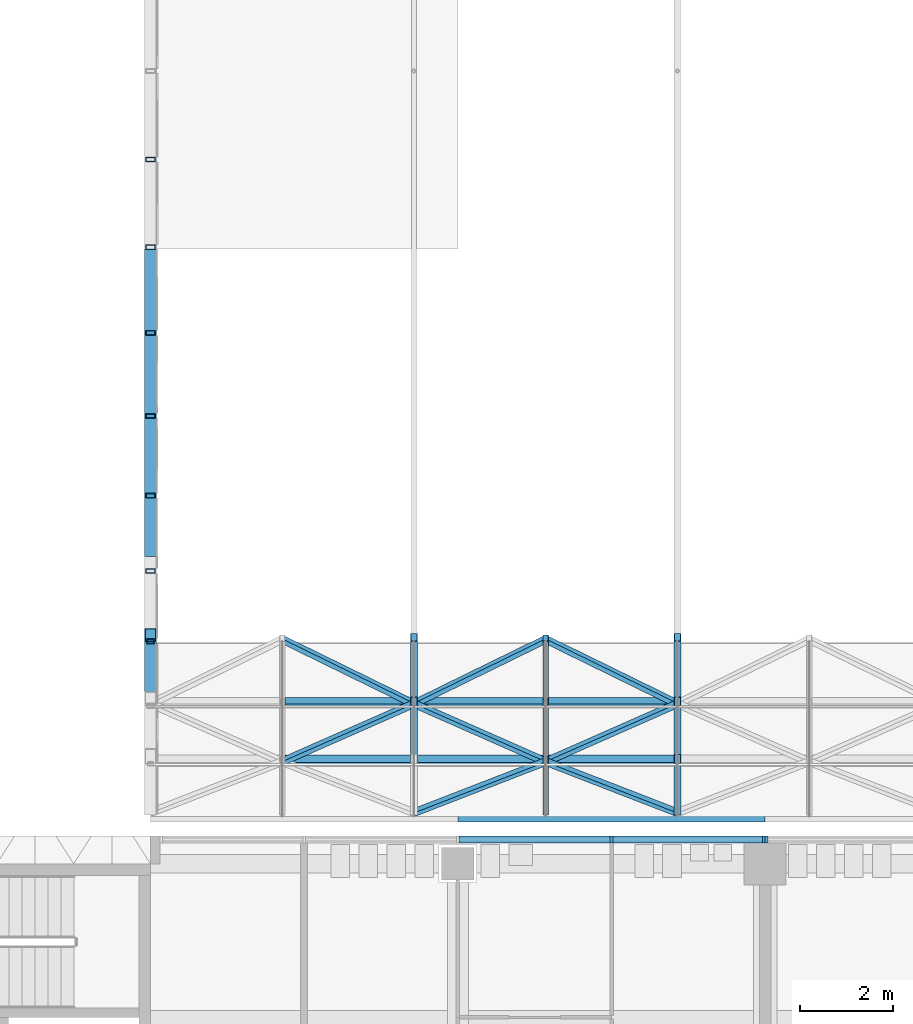
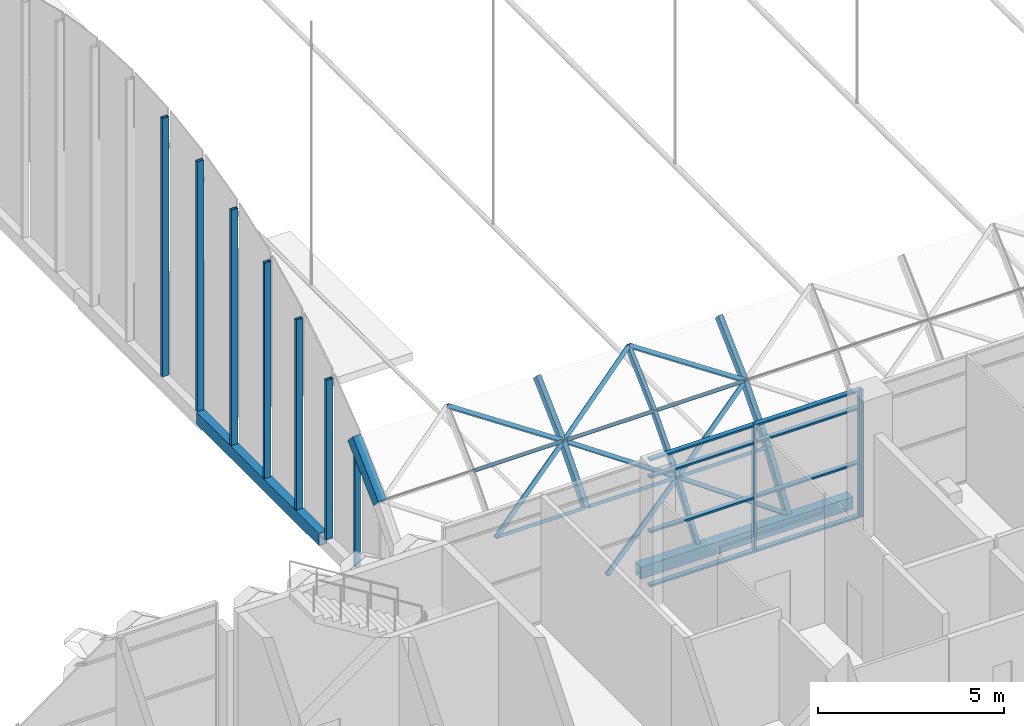
# One storey, part 15 of 109: 41 members, 2 beams, 2 elements without a shape of their own.
"""IFC4 building model written with IfcOpenShell, lengths in metres."""

from ifc_helpers import new_model, si_unit, direction, frame, origin, origin_2d, place, context, subcontext, project, spatial, rectangle, hollow_rectangle, extrude, material, material_profile, profile_set, type_object, element, aggregate, save


model = new_model("IFC4")

# Units and contexts
model_context = context("Model", 3, precision=1e-05, world=origin(), true_north=direction((0.0, 1.0)))
body_context = subcontext(model_context, "Body", "Model", "MODEL_VIEW")
ifc_project = project(units=[si_unit("LENGTHUNIT", "METRE"), si_unit("AREAUNIT", "SQUARE_METRE"), si_unit("VOLUMEUNIT", "CUBIC_METRE"), si_unit("PLANEANGLEUNIT", "RADIAN"), si_unit("MASSUNIT", "GRAM", prefix="KILO")], contexts=[model_context])

# Site, building, storey
site_placement = place(None, origin())
site = spatial("IfcSite", under=ifc_project, at=site_placement, CompositionType="ELEMENT")
building_placement = place(site_placement, origin())
building = spatial("IfcBuilding", under=site, at=building_placement, Name="Lantern Court Research Institute", CompositionType="ELEMENT")
storey_placement = place(building_placement, frame((0.0, 0.0, 14.39990234375)))
storey = spatial("IfcBuildingStorey", under=building, at=storey_placement, Name="L03", CompositionType="ELEMENT", Elevation=14.39990234375)

# Members
ifc_material_1 = material(Name="Structural steel S355", Category="steel")
ifc_material_profile_1 = material_profile(ifc_material_1, hollow_rectangle(XDim=0.25, YDim=0.39990234375, WallThickness=0.01611328125, at=origin_2d()), Name="Gable arch RHS 400 x 250 x 16")
ifc_profile_set_1 = profile_set([ifc_material_profile_1], Name="Structural steel S355")
member_type_1 = type_object("IfcMemberType", Name="Gable arch RHS 400 x 250 x 16", PredefinedType="RAFTER", material=ifc_profile_set_1)
member_1_placement = place(storey_placement, frame((39.60009765625, 26.63037109375, 3.24609375), z_axis=(0.0, 0.728151013069, 0.68541673613), x_axis=(-1.0, 0.0, 0.0)))
element("IfcMember", 1, at=member_1_placement, inside=storey, type_object=member_type_1, Name="Gable arch", PredefinedType="RAFTER", context=body_context, shape_type="SweptSolid", body=[
    extrude(hollow_rectangle(XDim=0.25, YDim=0.39990234375, WallThickness=0.01611328125, at=origin_2d()), origin(), (0.0, 0.0, 1.0), 1.90234375),
])
ifc_material_2 = material(Name="Structural steel S355", Category="steel")
ifc_material_profile_2 = material_profile(ifc_material_2, hollow_rectangle(XDim=0.159912109375, YDim=0.10009765625, WallThickness=0.00634765625, at=origin_2d()), Name="Gable post RHS 160 x 100 x 6.3")
ifc_profile_set_2 = profile_set([ifc_material_profile_2], Name="Structural steel S355")
member_type_2 = type_object("IfcMemberType", Name="Gable post RHS 160 x 100 x 6.3", PredefinedType="POST", material=ifc_profile_set_2)
member_2_placement = place(storey_placement, frame((39.60009765625, 27.87841796875, 0.400146484375), z_axis=(0.0, 0.0, 1.0), x_axis=(1.0, 0.0, 0.0)))
element("IfcMember", 2, at=member_2_placement, inside=storey, type_object=member_type_2, Name="Gable post", PredefinedType="POST", context=body_context, shape_type="SweptSolid", body=[
    extrude(hollow_rectangle(XDim=0.159912109375, YDim=0.10009765625, WallThickness=0.00634765625, at=origin_2d()), origin(), (0.0, 0.0, 1.0), 4.095458984375),
])
ifc_material_3 = material(Name="Structural steel S355", Category="steel")
ifc_material_profile_3 = material_profile(ifc_material_3, hollow_rectangle(XDim=0.199951171875, YDim=0.10009765625, WallThickness=0.008056640625, at=origin_2d()), Name="Gable post RHS 200 x 100 x 8")
ifc_profile_set_3 = profile_set([ifc_material_profile_3], Name="Structural steel S355")
member_type_3 = type_object("IfcMemberType", Name="Gable post RHS 200 x 100 x 8", PredefinedType="POST", material=ifc_profile_set_3)
member_3_placement = place(storey_placement, frame((39.60009765625, 29.3876953125, 0.400146484375), z_axis=(0.0, 0.0, 1.0), x_axis=(1.0, 0.0, 0.0)))
element("IfcMember", 3, at=member_3_placement, inside=storey, type_object=member_type_3, Name="Gable post", PredefinedType="POST", context=body_context, shape_type="SweptSolid", body=[
    extrude(hollow_rectangle(XDim=0.199951171875, YDim=0.10009765625, WallThickness=0.008056640625, at=origin_2d()), origin(), (0.0, 0.0, 1.0), 5.253662109375),
])
member_4_placement = place(storey_placement, frame((39.60009765625, 31.005859375, 0.400146484375), z_axis=(0.0, 0.0, 1.0), x_axis=(1.0, 0.0, 0.0)))
element("IfcMember", 4, at=member_4_placement, inside=storey, type_object=member_type_3, Name="Gable post", PredefinedType="POST", context=body_context, shape_type="SweptSolid", body=[
    extrude(hollow_rectangle(XDim=0.199951171875, YDim=0.10009765625, WallThickness=0.008056640625, at=origin_2d()), origin(), (0.0, 0.0, 1.0), 6.25439453125),
])
member_5_placement = place(storey_placement, frame((39.60009765625, 32.71630859375, 0.400146484375), z_axis=(0.0, 0.0, 1.0), x_axis=(1.0, 0.0, 0.0)))
element("IfcMember", 5, at=member_5_placement, inside=storey, type_object=member_type_3, Name="Gable post", PredefinedType="POST", context=body_context, shape_type="SweptSolid", body=[
    extrude(hollow_rectangle(XDim=0.199951171875, YDim=0.10009765625, WallThickness=0.008056640625, at=origin_2d()), origin(), (0.0, 0.0, 1.0), 7.08740234375),
])
member_6_placement = place(storey_placement, frame((39.60009765625, 34.501708984375, 0.400146484375), z_axis=(0.0, 0.0, 1.0), x_axis=(1.0, 0.0, 0.0)))
element("IfcMember", 6, at=member_6_placement, inside=storey, type_object=member_type_3, Name="Gable post", PredefinedType="POST", context=body_context, shape_type="SweptSolid", body=[
    extrude(hollow_rectangle(XDim=0.199951171875, YDim=0.10009765625, WallThickness=0.008056640625, at=origin_2d()), origin(), (0.0, 0.0, 1.0), 7.744140625),
])
member_7_placement = place(storey_placement, frame((39.60009765625, 36.34423828125, 0.400146484375), z_axis=(0.0, 0.0, 1.0), x_axis=(1.0, 0.0, 0.0)))
element("IfcMember", 7, at=member_7_placement, inside=storey, type_object=member_type_3, Name="Gable post", PredefinedType="POST", context=body_context, shape_type="SweptSolid", body=[
    extrude(hollow_rectangle(XDim=0.199951171875, YDim=0.10009765625, WallThickness=0.008056640625, at=origin_2d()), origin(), (0.0, 0.0, 1.0), 8.218017578125),
])
member_8_placement = place(storey_placement, frame((39.60009765625, 38.224853515625, 0.400146484375), z_axis=(0.0, 0.0, 1.0), x_axis=(1.0, 0.0, 0.0)))
element("IfcMember", 8, at=member_8_placement, inside=storey, type_object=member_type_3, Name="Gable post", PredefinedType="POST", context=body_context, shape_type="SweptSolid", body=[
    extrude(hollow_rectangle(XDim=0.199951171875, YDim=0.10009765625, WallThickness=0.008056640625, at=origin_2d()), origin(), (0.0, 0.0, 1.0), 8.504150390625),
])

# Beam
ifc_material_4 = material(Name="Structural steel S355", Category="steel")
ifc_material_profile_4 = material_profile(ifc_material_4, hollow_rectangle(XDim=0.25, YDim=0.39990234375, WallThickness=0.012451171875, at=origin_2d()), Name="Gable sill beam RHS 400 x 250 x 12.5")
ifc_profile_set_4 = profile_set([ifc_material_profile_4], Name="Structural steel S355")
beam_type_1 = type_object("IfcBeamType", Name="Gable sill beam RHS 400 x 250 x 12.5", PredefinedType="BEAM", material=ifc_profile_set_4)
beam_1_placement = place(storey_placement, frame((39.60009765625, 29.699951171875, 0.2001953125), z_axis=(0.0, 1.0, 0.0), x_axis=(-1.0, 0.0, 0.0)))
element("IfcBeam", 9, at=beam_1_placement, inside=storey, type_object=beam_type_1, Name="Sill beam W", PredefinedType="BEAM", context=body_context, shape_type="SweptSolid", body=[
    extrude(hollow_rectangle(XDim=0.25, YDim=0.39990234375, WallThickness=0.012451171875, at=origin_2d()), origin(), (0.0, 0.0, 1.0), 6.60009765625),
])

# Members
ifc_material_5 = material(Name="Structural steel S355", Category="steel")
ifc_material_profile_5 = material_profile(ifc_material_5, hollow_rectangle(XDim=0.1201171875, YDim=0.1201171875, WallThickness=0.008056640625, at=origin_2d()), Name="Gridshell haunch diagonal RHS 120 x 120 x 8")
ifc_profile_set_5 = profile_set([ifc_material_profile_5], Name="Structural steel S355")
member_type_4 = type_object("IfcMemberType", Name="Gridshell haunch diagonal RHS 120 x 120 x 8", PredefinedType="BRACE", material=ifc_profile_set_5)
for number, where, z_axis, x_axis, name in (
    (10, (42.428466796875, 25.29150390625, 1.91552734375), (0.829775196139, 0.365828733116, 0.421476525917), (-0.558097772678, 0.543914119911, 0.62664527948), "Gridshell diagonal"),
    (11, (45.257080078125, 26.534423828125, 3.347900390625), (-0.829761681147, 0.406358344452, 0.382581296451), (-0.558117866133, -0.60414109168, -0.568786417601), "Gridshell diagonal"),
    (12, (45.257080078125, 24.198974609375, 0.365478515625), (0.829757421007, 0.321633055217, 0.45613024464), (-0.558124199292, 0.478137532634, 0.678145912065), "Gridshell diagonal"),
    (13, (48.085693359375, 25.29150390625, 1.91552734375), (-0.829775196139, 0.365828733116, 0.421476525917), (-0.558097772678, -0.543914119911, -0.62664527948), "Gridshell diagonal"),
    (14, (45.257080078125, 26.534423828125, 3.347900390625), (0.829761681147, 0.406358344452, 0.382581296451), (-0.558117866133, 0.60414109168, 0.568786417601), "Gridshell diagonal"),
    (15, (50.914306640625, 24.198974609375, 0.365478515625), (-0.829757421007, 0.321633055217, 0.45613024464), (-0.558124199292, -0.478137532634, -0.678145912065), "Gridshell diagonal"),
    (16, (48.085693359375, 25.29150390625, 1.91552734375), (0.829775196139, 0.365828733116, 0.421476525917), (-0.558097772678, 0.543914119911, 0.62664527948), "Gridshell diagonal"),
    (17, (50.914306640625, 26.534423828125, 3.347900390625), (-0.829761681147, 0.406358344452, 0.382581296451), (-0.558117866133, -0.60414109168, -0.568786417601), "Gridshell diagonal"),
):
    element("IfcMember", number, at=place(storey_placement, frame(where, z_axis=z_axis, x_axis=x_axis)), inside=storey, type_object=member_type_4, Name=name, PredefinedType="BRACE", context=body_context, shape_type="SweptSolid", body=[
        extrude(hollow_rectangle(XDim=0.1201171875, YDim=0.1201171875, WallThickness=0.008056640625, at=origin_2d()), origin(), (0.0, 0.0, 1.0), 3.408935546875),
    ])
ifc_material_6 = material(Name="Structural steel S355", Category="steel")
ifc_material_profile_6 = material_profile(ifc_material_6, hollow_rectangle(XDim=0.10009765625, YDim=0.199951171875, WallThickness=0.008056640625, at=origin_2d()), Name="Gridshell purlin RHS 200 x 100 x 8")
ifc_profile_set_6 = profile_set([ifc_material_profile_6], Name="Structural steel S355")
member_type_5 = type_object("IfcMemberType", Name="Gridshell purlin RHS 200 x 100 x 8", PredefinedType="PURLIN", material=ifc_profile_set_6)
for number, where, z_axis, x_axis, name in (
    (18, (42.488525390625, 25.324951171875, 1.893310546875), (1.0, 0.0, 0.0), (0.0, 0.616657332959, 0.787231689979), "Gridshell purlin"),
    (19, (45.33203125, 25.324951171875, 1.893310546875), (1.0, 0.0, 0.0), (0.0, 0.616657332959, 0.787231689979), "Gridshell purlin"),
    (20, (48.145751953125, 25.324951171875, 1.893310546875), (1.0, 0.0, 0.0), (0.0, 0.616657332959, 0.787231689979), "Gridshell purlin"),
    (21, (42.488525390625, 26.5654296875, 3.322265625), (1.0, 0.0, 0.0), (0.0, 0.692674230917, 0.721250587399), "Gridshell purlin"),
    (22, (45.33203125, 26.5654296875, 3.322265625), (1.0, 0.0, 0.0), (0.0, 0.692674230917, 0.721250587399), "Gridshell purlin"),
    (23, (48.145751953125, 26.5654296875, 3.322265625), (1.0, 0.0, 0.0), (0.0, 0.692674230917, 0.721250587399), "Gridshell purlin"),
):
    element("IfcMember", number, at=place(storey_placement, frame(where, z_axis=z_axis, x_axis=x_axis)), inside=storey, type_object=member_type_5, Name=name, PredefinedType="PURLIN", context=body_context, shape_type="SweptSolid", body=[
        extrude(hollow_rectangle(XDim=0.10009765625, YDim=0.199951171875, WallThickness=0.008056640625, at=origin_2d()), origin(), (0.0, 0.0, 1.0), 2.693603515625),
    ])

# Beam
ifc_material_7 = material(Name="Structural steel S355", Category="steel")
ifc_material_profile_7 = material_profile(ifc_material_7, hollow_rectangle(XDim=0.300048828125, YDim=0.39990234375, WallThickness=0.01611328125, at=origin_2d()), Name="Gridshell ring beam RHS 400 x 300 x 16")
ifc_profile_set_7 = profile_set([ifc_material_profile_7], Name="Structural steel S355")
beam_type_2 = type_object("IfcBeamType", Name="Gridshell ring beam RHS 400 x 300 x 16", PredefinedType="BEAM", material=ifc_profile_set_7)
beam_2_placement = place(storey_placement, frame((46.199951171875, 24.14990234375, 0.2001953125), z_axis=(1.0, 0.0, 0.0), x_axis=(0.0, 1.0, 0.0)))
element("IfcBeam", 24, at=beam_2_placement, inside=storey, type_object=beam_type_2, Name="Ring beam S", PredefinedType="BEAM", context=body_context, shape_type="SweptSolid", body=[
    extrude(hollow_rectangle(XDim=0.300048828125, YDim=0.39990234375, WallThickness=0.01611328125, at=origin_2d()), origin(), (0.0, 0.0, 1.0), 6.60009765625),
])

# Members
ifc_material_8 = material(Name="Structural steel S355", Category="steel")
ifc_material_profile_8 = material_profile(ifc_material_8, hollow_rectangle(XDim=0.1201171875, YDim=0.199951171875, WallThickness=0.008056640625, at=origin_2d()), Name="Gridshell secondary rib RHS 200 x 120 x 8")
ifc_profile_set_8 = profile_set([ifc_material_profile_8], Name="Structural steel S355")
member_type_6 = type_object("IfcMemberType", Name="Gridshell secondary rib RHS 200 x 120 x 8", PredefinedType="RAFTER", material=ifc_profile_set_8)
member_9_placement = place(storey_placement, frame((48.085693359375, 24.231689453125, 0.342529296875), z_axis=(0.0, 0.576335495229, 0.817213189406), x_axis=(-1.0, 0.0, 0.0)))
element("IfcMember", 25, at=member_9_placement, inside=storey, type_object=member_type_6, Name="Gridshell secondary rib", PredefinedType="RAFTER", context=body_context, shape_type="SweptSolid", body=[
    extrude(hollow_rectangle(XDim=0.1201171875, YDim=0.199951171875, WallThickness=0.008056640625, at=origin_2d()), origin(), (0.0, 0.0, 1.0), 1.90234375),
])
member_10_placement = place(storey_placement, frame((48.085693359375, 25.32177734375, 1.889404296875), z_axis=(0.0, 0.655492193344, 0.755201949458), x_axis=(-1.0, 0.0, 0.0)))
element("IfcMember", 26, at=member_10_placement, inside=storey, type_object=member_type_6, Name="Gridshell secondary rib", PredefinedType="RAFTER", context=body_context, shape_type="SweptSolid", body=[
    extrude(hollow_rectangle(XDim=0.1201171875, YDim=0.199951171875, WallThickness=0.008056640625, at=origin_2d()), origin(), (0.0, 0.0, 1.0), 1.902587890625),
])
member_11_placement = place(storey_placement, frame((48.085693359375, 26.561767578125, 3.31884765625), z_axis=(0.0, 0.728151013069, 0.68541673613), x_axis=(-1.0, 0.0, 0.0)))
element("IfcMember", 27, at=member_11_placement, inside=storey, type_object=member_type_6, Name="Gridshell secondary rib", PredefinedType="RAFTER", context=body_context, shape_type="SweptSolid", body=[
    extrude(hollow_rectangle(XDim=0.1201171875, YDim=0.199951171875, WallThickness=0.008056640625, at=origin_2d()), origin(), (0.0, 0.0, 1.0), 1.90234375),
])
ifc_material_9 = material(Name="Structural steel S355", Category="steel")
ifc_material_profile_9 = material_profile(ifc_material_9, hollow_rectangle(XDim=0.14990234375, YDim=0.25, WallThickness=0.010009765625, at=origin_2d()), Name="Gridshell springing rib RHS 250 x 150 x 10")
ifc_profile_set_9 = profile_set([ifc_material_profile_9], Name="Structural steel S355")
member_type_7 = type_object("IfcMemberType", Name="Gridshell springing rib RHS 250 x 150 x 10", PredefinedType="RAFTER", material=ifc_profile_set_9)
member_12_placement = place(storey_placement, frame((45.257080078125, 25.340576171875, 1.873046875), z_axis=(0.0, 0.655492193344, 0.755201949458), x_axis=(-1.0, 0.0, 0.0)))
element("IfcMember", 28, at=member_12_placement, inside=storey, type_object=member_type_7, Name="Gridshell rib", PredefinedType="RAFTER", context=body_context, shape_type="SweptSolid", body=[
    extrude(hollow_rectangle(XDim=0.14990234375, YDim=0.25, WallThickness=0.010009765625, at=origin_2d()), origin(), (0.0, 0.0, 1.0), 1.902587890625),
])
for number, where, z_axis, x_axis, name in (
    (29, (45.257080078125, 26.5791015625, 3.300537109375), (0.0, 0.728026662528, 0.685548815657), (-1.0, 0.0, 0.0), "Gridshell rib"),
    (30, (50.914306640625, 24.252197265625, 0.328125), (0.0, 0.576249781335, 0.817273631969), (-1.0, 0.0, 0.0), "Gridshell rib"),
):
    element("IfcMember", number, at=place(storey_placement, frame(where, z_axis=z_axis, x_axis=x_axis)), inside=storey, type_object=member_type_7, Name=name, PredefinedType="RAFTER", context=body_context, shape_type="SweptSolid", body=[
        extrude(hollow_rectangle(XDim=0.14990234375, YDim=0.25, WallThickness=0.010009765625, at=origin_2d()), origin(), (0.0, 0.0, 1.0), 1.90234375),
    ])
member_13_placement = place(storey_placement, frame((50.914306640625, 25.340576171875, 1.873046875), z_axis=(0.0, 0.655492193344, 0.755201949458), x_axis=(-1.0, 0.0, 0.0)))
element("IfcMember", 31, at=member_13_placement, inside=storey, type_object=member_type_7, Name="Gridshell rib", PredefinedType="RAFTER", context=body_context, shape_type="SweptSolid", body=[
    extrude(hollow_rectangle(XDim=0.14990234375, YDim=0.25, WallThickness=0.010009765625, at=origin_2d()), origin(), (0.0, 0.0, 1.0), 1.902587890625),
])
member_14_placement = place(storey_placement, frame((50.914306640625, 26.5791015625, 3.300537109375), z_axis=(0.0, 0.728026662528, 0.685548815657), x_axis=(-1.0, 0.0, 0.0)))
element("IfcMember", 32, at=member_14_placement, inside=storey, type_object=member_type_7, Name="Gridshell rib", PredefinedType="RAFTER", context=body_context, shape_type="SweptSolid", body=[
    extrude(hollow_rectangle(XDim=0.14990234375, YDim=0.25, WallThickness=0.010009765625, at=origin_2d()), origin(), (0.0, 0.0, 1.0), 1.90234375),
])

# Curtain wall, members
ifc_material_10 = material(Name="Aluminium alloy 6063-T6", Category="aluminium")
curtain_wall_type_1 = type_object("IfcCurtainWallType", Name="Curtain wall 13000 x 4200 x 150 aluminium frame", PredefinedType="NOTDEFINED", material=ifc_material_10)
curtain_wall_1_placement = place(storey_placement, origin())
curtain_wall_1 = element("IfcCurtainWall", 33, at=curtain_wall_1_placement, inside=storey, type_object=curtain_wall_type_1, Name="Curtain wall CW047", PredefinedType="NOTDEFINED")
ifc_material_11 = material(Name="Aluminium alloy 6063-T6", Category="aluminium")
ifc_material_profile_10 = material_profile(ifc_material_11, rectangle(XDim=0.14990234375, YDim=0.06005859375, at=origin_2d()), Name="Mullion 150 x 60")
ifc_profile_set_10 = profile_set([ifc_material_profile_10], Name="Aluminium alloy 6063-T6")
member_type_8 = type_object("IfcMemberType", Name="Mullion 150 x 60 aluminium", PredefinedType="MULLION", material=ifc_profile_set_10)
member_15_placement = place(storey_placement, frame((49.5, 23.625, 0.0), z_axis=(0.0, 0.0, 1.0), x_axis=(0.0, 1.0, 0.0)))
member_15 = element("IfcMember", 34, at=member_15_placement, type_object=member_type_8, Name="CW047 mullion 4", PredefinedType="MULLION", context=body_context, shape_type="SweptSolid", body=[
    extrude(rectangle(XDim=0.14990234375, YDim=0.06005859375, at=origin_2d()), origin(), (0.0, 0.0, 1.0), 4.2001953125),
])
member_16_placement = place(storey_placement, frame((52.77001953125, 23.625, 0.0), z_axis=(0.0, 0.0, 1.0), x_axis=(0.0, 1.0, 0.0)))
member_16 = element("IfcMember", 35, at=member_16_placement, type_object=member_type_8, Name="CW047 mullion 5", PredefinedType="MULLION", context=body_context, shape_type="SweptSolid", body=[
    extrude(rectangle(XDim=0.14990234375, YDim=0.06005859375, at=origin_2d()), origin(), (0.0, 0.0, 1.0), 4.2001953125),
])

# Curtain wall, member
ifc_material_12 = material(Name="Aluminium alloy 6063-T6", Category="aluminium")
curtain_wall_type_2 = type_object("IfcCurtainWallType", Name="Curtain wall 19600 x 4200 x 150 aluminium frame", PredefinedType="NOTDEFINED", material=ifc_material_12)
curtain_wall_2_placement = place(storey_placement, origin())
curtain_wall_2 = element("IfcCurtainWall", 36, at=curtain_wall_2_placement, inside=storey, type_object=curtain_wall_type_2, Name="Curtain wall CW058", PredefinedType="NOTDEFINED")
member_17_placement = place(storey_placement, frame((52.830078125, 23.625, 0.0), z_axis=(0.0, 0.0, 1.0), x_axis=(0.0, 1.0, 0.0)))
member_17 = element("IfcMember", 37, at=member_17_placement, type_object=member_type_8, Name="CW058 mullion 1", PredefinedType="MULLION", context=body_context, shape_type="SweptSolid", body=[
    extrude(rectangle(XDim=0.14990234375, YDim=0.06005859375, at=origin_2d()), origin(), (0.0, 0.0, 1.0), 4.2001953125),
])
aggregate(curtain_wall_2, [member_17])

# Member
ifc_material_13 = material(Name="Aluminium alloy 6063-T6", Category="aluminium")
ifc_material_profile_11 = material_profile(ifc_material_13, rectangle(XDim=0.14990234375, YDim=0.06005859375, at=origin_2d()), Name="Transom 150 x 60")
ifc_profile_set_11 = profile_set([ifc_material_profile_11], Name="Aluminium alloy 6063-T6")
member_type_9 = type_object("IfcMemberType", Name="Transom 150 x 60 aluminium", PredefinedType="USERDEFINED", material=ifc_profile_set_11)
member_18_placement = place(storey_placement, frame((46.22998046875, 23.625, 0.030029296875), z_axis=(1.0, 0.0, 0.0), x_axis=(0.0, 1.0, 0.0)))
member_18 = element("IfcMember", 38, at=member_18_placement, type_object=member_type_9, Name="CW047 transom 3.1", ObjectType="TRANSOM", PredefinedType="USERDEFINED", context=body_context, shape_type="SweptSolid", body=[
    extrude(rectangle(XDim=0.14990234375, YDim=0.06005859375, at=origin_2d()), origin(), (0.0, 0.0, 1.0), 3.239990234375),
])

member_19_placement = place(storey_placement, frame((46.22998046875, 23.625, 1.800048828125), z_axis=(1.0, 0.0, 0.0), x_axis=(0.0, 1.0, 0.0)))
member_19 = element("IfcMember", 39, at=member_19_placement, type_object=member_type_9, Name="CW047 transom 3.2", ObjectType="TRANSOM", PredefinedType="USERDEFINED", context=body_context, shape_type="SweptSolid", body=[
    extrude(rectangle(XDim=0.14990234375, YDim=0.06005859375, at=origin_2d()), origin(), (0.0, 0.0, 1.0), 3.239990234375),
])

member_20_placement = place(storey_placement, frame((46.22998046875, 23.625, 3.60009765625), z_axis=(1.0, 0.0, 0.0), x_axis=(0.0, 1.0, 0.0)))
member_20 = element("IfcMember", 40, at=member_20_placement, type_object=member_type_9, Name="CW047 transom 3.3", ObjectType="TRANSOM", PredefinedType="USERDEFINED", context=body_context, shape_type="SweptSolid", body=[
    extrude(rectangle(XDim=0.14990234375, YDim=0.06005859375, at=origin_2d()), origin(), (0.0, 0.0, 1.0), 3.239990234375),
])

member_21_placement = place(storey_placement, frame((46.22998046875, 23.625, 4.170166015625), z_axis=(1.0, 0.0, 0.0), x_axis=(0.0, 1.0, 0.0)))
member_21 = element("IfcMember", 41, at=member_21_placement, type_object=member_type_9, Name="CW047 transom 3.4", ObjectType="TRANSOM", PredefinedType="USERDEFINED", context=body_context, shape_type="SweptSolid", body=[
    extrude(rectangle(XDim=0.14990234375, YDim=0.06005859375, at=origin_2d()), origin(), (0.0, 0.0, 1.0), 3.239990234375),
])

member_22_placement = place(storey_placement, frame((49.530029296875, 23.625, 0.030029296875), z_axis=(1.0, 0.0, 0.0), x_axis=(0.0, 1.0, 0.0)))
member_22 = element("IfcMember", 42, at=member_22_placement, type_object=member_type_9, Name="CW047 transom 4.1", ObjectType="TRANSOM", PredefinedType="USERDEFINED", context=body_context, shape_type="SweptSolid", body=[
    extrude(rectangle(XDim=0.14990234375, YDim=0.06005859375, at=origin_2d()), origin(), (0.0, 0.0, 1.0), 3.2099609375),
])

member_23_placement = place(storey_placement, frame((49.530029296875, 23.625, 1.800048828125), z_axis=(1.0, 0.0, 0.0), x_axis=(0.0, 1.0, 0.0)))
member_23 = element("IfcMember", 43, at=member_23_placement, type_object=member_type_9, Name="CW047 transom 4.2", ObjectType="TRANSOM", PredefinedType="USERDEFINED", context=body_context, shape_type="SweptSolid", body=[
    extrude(rectangle(XDim=0.14990234375, YDim=0.06005859375, at=origin_2d()), origin(), (0.0, 0.0, 1.0), 3.2099609375),
])

member_24_placement = place(storey_placement, frame((49.530029296875, 23.625, 3.60009765625), z_axis=(1.0, 0.0, 0.0), x_axis=(0.0, 1.0, 0.0)))
member_24 = element("IfcMember", 44, at=member_24_placement, type_object=member_type_9, Name="CW047 transom 4.3", ObjectType="TRANSOM", PredefinedType="USERDEFINED", context=body_context, shape_type="SweptSolid", body=[
    extrude(rectangle(XDim=0.14990234375, YDim=0.06005859375, at=origin_2d()), origin(), (0.0, 0.0, 1.0), 3.2099609375),
])

member_25_placement = place(storey_placement, frame((49.530029296875, 23.625, 4.170166015625), z_axis=(1.0, 0.0, 0.0), x_axis=(0.0, 1.0, 0.0)))
member_25 = element("IfcMember", 45, at=member_25_placement, type_object=member_type_9, Name="CW047 transom 4.4", ObjectType="TRANSOM", PredefinedType="USERDEFINED", context=body_context, shape_type="SweptSolid", body=[
    extrude(rectangle(XDim=0.14990234375, YDim=0.06005859375, at=origin_2d()), origin(), (0.0, 0.0, 1.0), 3.2099609375),
])

aggregate(curtain_wall_1, [member_15, member_16, member_18, member_19, member_20, member_21, member_22, member_23, member_24, member_25])

save(model, "model.ifc")
